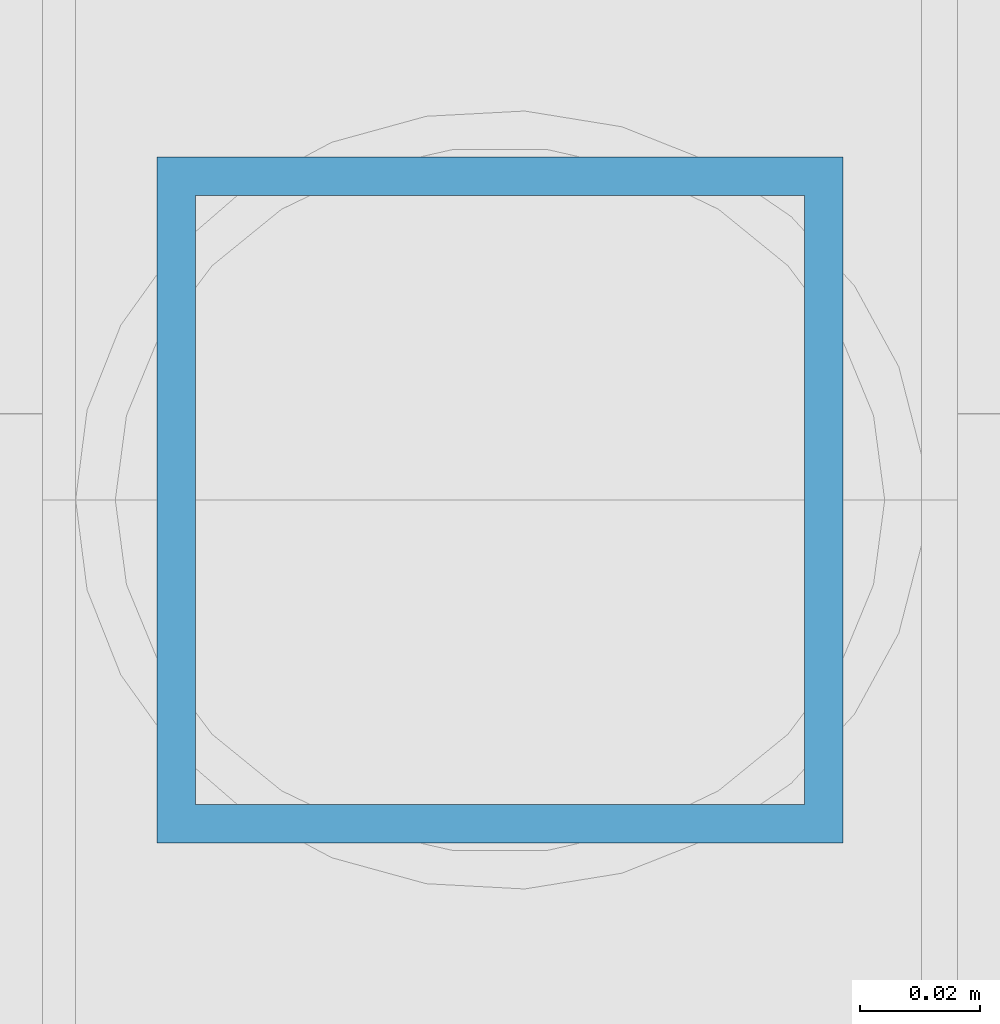
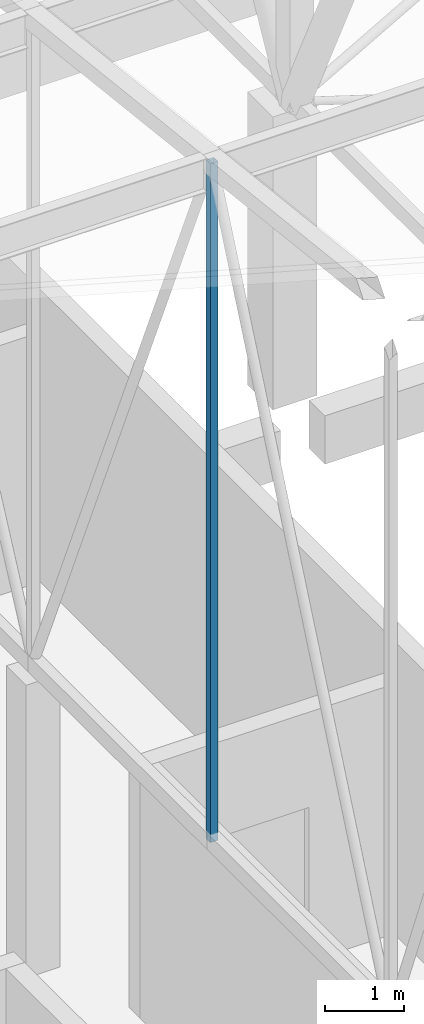
# One storey, part 214 of 500: 1 member.
"""IFC4 building model written with IfcOpenShell, lengths in metres."""

from ifc_helpers import new_model, si_unit, direction, frame, origin, origin_2d, place, context, subcontext, project, spatial, hollow_rectangle, extrude, material, material_profile, profile_set, type_object, element, save


model = new_model("IFC4")

# Units and contexts
model_context = context("Model", 3, precision=1e-05, world=origin(), true_north=direction((0.0, 1.0)))
body_context = subcontext(model_context, "Body", "Model", "MODEL_VIEW")
ifc_project = project(units=[si_unit("LENGTHUNIT", "METRE"), si_unit("AREAUNIT", "SQUARE_METRE"), si_unit("VOLUMEUNIT", "CUBIC_METRE"), si_unit("PLANEANGLEUNIT", "RADIAN"), si_unit("MASSUNIT", "GRAM", prefix="KILO")], contexts=[model_context])

# Site, building, storey
site_placement = place(None, origin())
site = spatial("IfcSite", under=ifc_project, at=site_placement, CompositionType="ELEMENT")
building_placement = place(site_placement, origin())
building = spatial("IfcBuilding", under=site, at=building_placement, Name="Shirokan Park Arena", CompositionType="ELEMENT")
storey_placement = place(building_placement, frame((0.0, 0.0, 29.1201171875)))
storey = spatial("IfcBuildingStorey", under=building, at=storey_placement, Name="L06", CompositionType="ELEMENT", Elevation=29.1201171875)

# Member
ifc_material = material(Name="Steel ASTM A500 Grade C", Category="steel")
ifc_material_profile = material_profile(ifc_material, hollow_rectangle(XDim=0.114013671875, YDim=0.114013671875, WallThickness=0.00634765625, at=origin_2d()), Name="HSS114.3X114.3X6.4")
ifc_profile_set = profile_set([ifc_material_profile], Name="Steel ASTM A500 Grade C")
member_type = type_object("IfcMemberType", Name="Truss post HSS114.3X114.3X6.4", PredefinedType="POST", material=ifc_profile_set)
member_placement = place(storey_placement, frame((36.39990234375, 86.449951171875, 4.677001953125), z_axis=(0.0, 0.0, 1.0), x_axis=(1.0, 0.0, 0.0)))
element("IfcMember", 1, at=member_placement, inside=storey, type_object=member_type, Name="Truss T05 post 22", PredefinedType="POST", context=body_context, shape_type="SweptSolid", body=[
    extrude(hollow_rectangle(XDim=0.114013671875, YDim=0.114013671875, WallThickness=0.00634765625, at=origin_2d()), origin(), (0.0, 0.0, 1.0), 10.5458984375),
])

save(model, "model.ifc")
